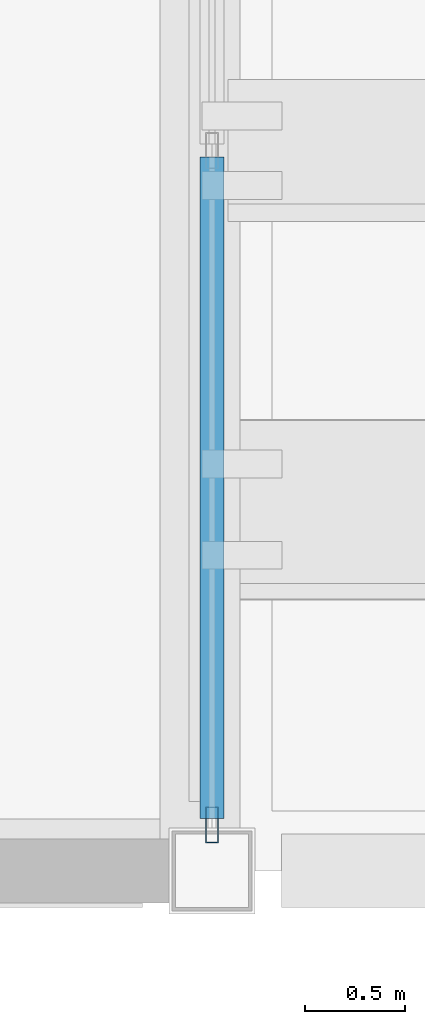
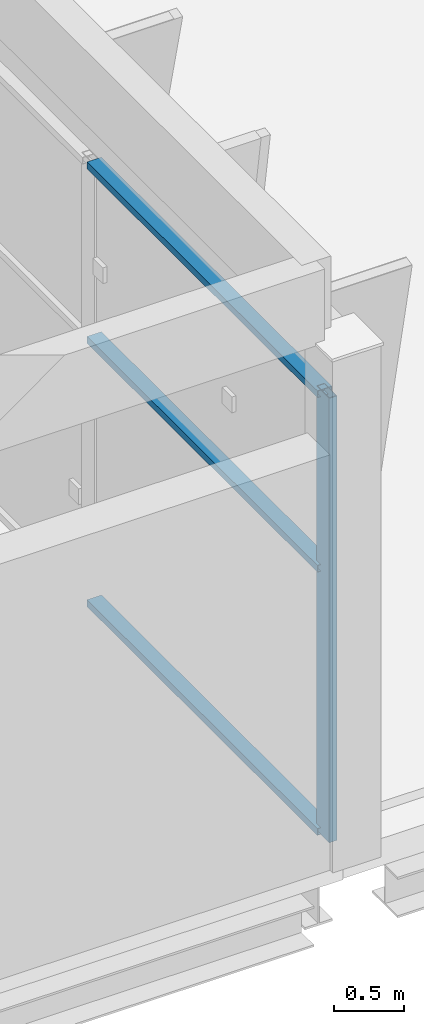
# One storey, part 23 of 78: 4 members, 1 element without a shape of its own.
"""IFC4 building model written with IfcOpenShell, lengths in metres."""

from ifc_helpers import new_model, si_unit, direction, frame, origin, origin_2d, place, context, subcontext, project, spatial, hollow_rectangle, extrude, material, layer, layer_set, material_profile, profile_set, type_object, element, aggregate, save


model = new_model("IFC4")

# Units and contexts
model_context = context("Model", 3, precision=1e-05, world=origin(), true_north=direction((0.0, 1.0)))
body_context = subcontext(model_context, "Body", "Model", "MODEL_VIEW")
ifc_project = project(units=[si_unit("LENGTHUNIT", "METRE"), si_unit("AREAUNIT", "SQUARE_METRE"), si_unit("VOLUMEUNIT", "CUBIC_METRE"), si_unit("PLANEANGLEUNIT", "RADIAN"), si_unit("MASSUNIT", "GRAM", prefix="KILO")], contexts=[model_context])

# Site, building, storey
site_placement = place(None, origin())
site = spatial("IfcSite", under=ifc_project, at=site_placement, CompositionType="ELEMENT")
building_placement = place(site_placement, origin())
building = spatial("IfcBuilding", under=site, at=building_placement, Name="Celestram Park Convention Centre", CompositionType="ELEMENT")
storey_placement = place(building_placement, frame((0.0, 0.0, 19.800048828125)))
storey = spatial("IfcBuildingStorey", under=building, at=storey_placement, Name="L04", CompositionType="ELEMENT", Elevation=19.800048828125)

# Curtain wall, members
ifc_material = material(Name="Anodised Aluminium Alloy 6063-T6", Category="aluminium")
ifc_layer = layer(ifc_material, 0.179931640625)
ifc_layer_set = layer_set([ifc_layer], Name="Anodised Aluminium Alloy 6063-T6")
curtain_wall_type = type_object("IfcCurtainWallType", Name="ARC-CW-683X390", PredefinedType="NOTDEFINED", material=ifc_layer_set)
curtain_wall_placement = place(storey_placement, origin())
curtain_wall = element("IfcCurtainWall", 1, at=curtain_wall_placement, inside=storey, type_object=curtain_wall_type, Name="Unitised curtain wall CU-L04-228", PredefinedType="NOTDEFINED")
ifc_material_profile_1 = material_profile(ifc_material, hollow_rectangle(XDim=0.06494140625, YDim=0.179931640625, WallThickness=0.00390625, at=origin_2d()), Name="ALU65X180X4")
ifc_profile_set_1 = profile_set([ifc_material_profile_1], Name="Anodised Aluminium Alloy 6063-T6")
member_type_1 = type_object("IfcMemberType", Name="ARC-CWM-150", PredefinedType="MULLION", material=ifc_profile_set_1)
member_1_placement = place(storey_placement, frame((117.0, 108.23046875, 0.0), z_axis=(0.0, 0.0, 1.0), x_axis=(1.0, 0.0, 0.0)))
member_1 = element("IfcMember", 2, at=member_1_placement, type_object=member_type_1, Name="CW-68X39 mullion 3", PredefinedType="MULLION", context=body_context, shape_type="SweptSolid", body=[
    extrude(hollow_rectangle(XDim=0.06494140625, YDim=0.179931640625, WallThickness=0.00390625, at=origin_2d()), origin(), (0.0, 0.0, 1.0), 3.904052734375),
])
ifc_material_profile_2 = material_profile(ifc_material, hollow_rectangle(XDim=0.1201171875, YDim=0.06005859375, WallThickness=0.0029296875, at=origin_2d()), Name="ALU120X60X3")
ifc_profile_set_2 = profile_set([ifc_material_profile_2], Name="Anodised Aluminium Alloy 6063-T6")
member_type_2 = type_object("IfcMemberType", Name="ARC-CWT-120", PredefinedType="USERDEFINED", material=ifc_profile_set_2)
member_2_placement = place(storey_placement, frame((117.0, 111.57861328125, 0.030029296875), z_axis=(0.0, -1.0, 0.0), x_axis=(1.0, 0.0, 0.0)))
member_2 = element("IfcMember", 3, at=member_2_placement, type_object=member_type_2, Name="CW-68X39 transom 2.1", ObjectType="TRANSOM", PredefinedType="USERDEFINED", context=body_context, shape_type="SweptSolid", body=[
    extrude(hollow_rectangle(XDim=0.1201171875, YDim=0.06005859375, WallThickness=0.0029296875, at=origin_2d()), origin(), (0.0, 0.0, 1.0), 3.315673828125),
])
member_3_placement = place(storey_placement, frame((117.0, 111.57861328125, 2.342041015625), z_axis=(0.0, -1.0, 0.0), x_axis=(1.0, 0.0, 0.0)))
member_3 = element("IfcMember", 4, at=member_3_placement, type_object=member_type_2, Name="CW-68X39 transom 2.2", ObjectType="TRANSOM", PredefinedType="USERDEFINED", context=body_context, shape_type="SweptSolid", body=[
    extrude(hollow_rectangle(XDim=0.1201171875, YDim=0.06005859375, WallThickness=0.0029296875, at=origin_2d()), origin(), (0.0, 0.0, 1.0), 3.315673828125),
])
member_4_placement = place(storey_placement, frame((117.0, 111.57861328125, 3.8740234375), z_axis=(0.0, -1.0, 0.0), x_axis=(1.0, 0.0, 0.0)))
member_4 = element("IfcMember", 5, at=member_4_placement, type_object=member_type_2, Name="CW-68X39 transom 2.3", ObjectType="TRANSOM", PredefinedType="USERDEFINED", context=body_context, shape_type="SweptSolid", body=[
    extrude(hollow_rectangle(XDim=0.1201171875, YDim=0.06005859375, WallThickness=0.0029296875, at=origin_2d()), origin(), (0.0, 0.0, 1.0), 3.315673828125),
])
aggregate(curtain_wall, [member_1, member_2, member_3, member_4])

save(model, "model.ifc")
